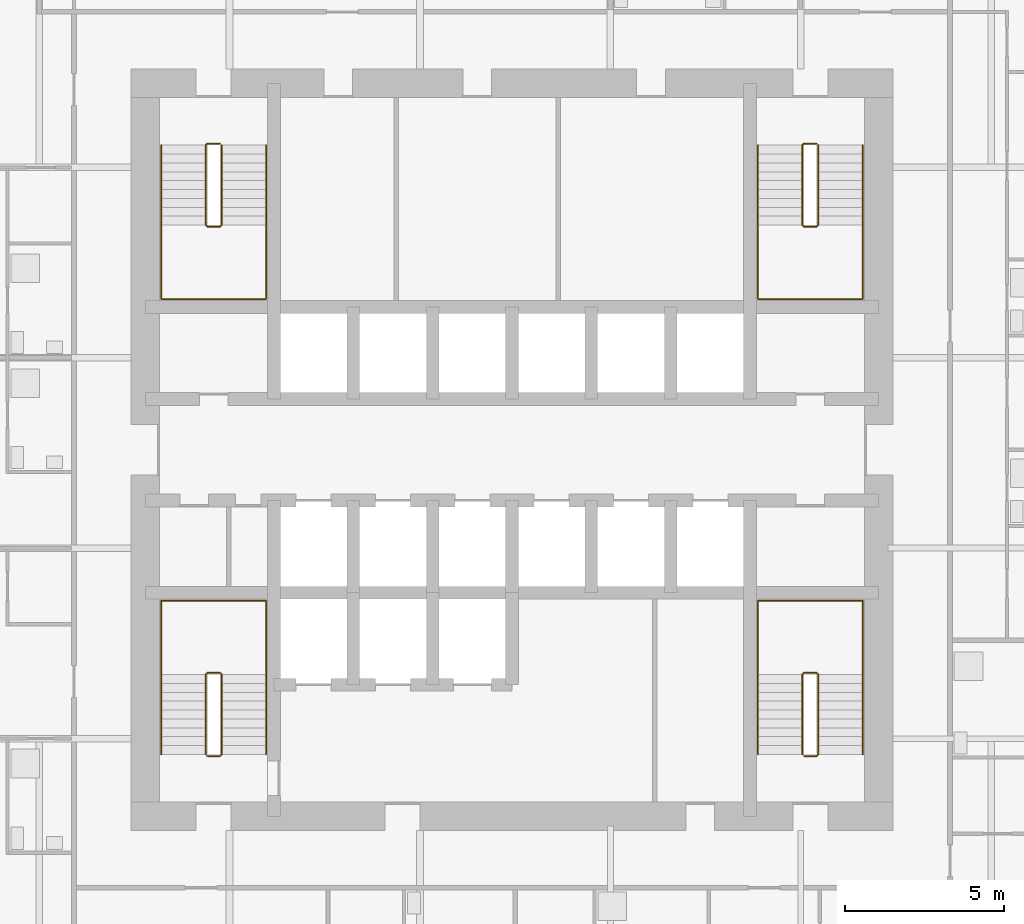
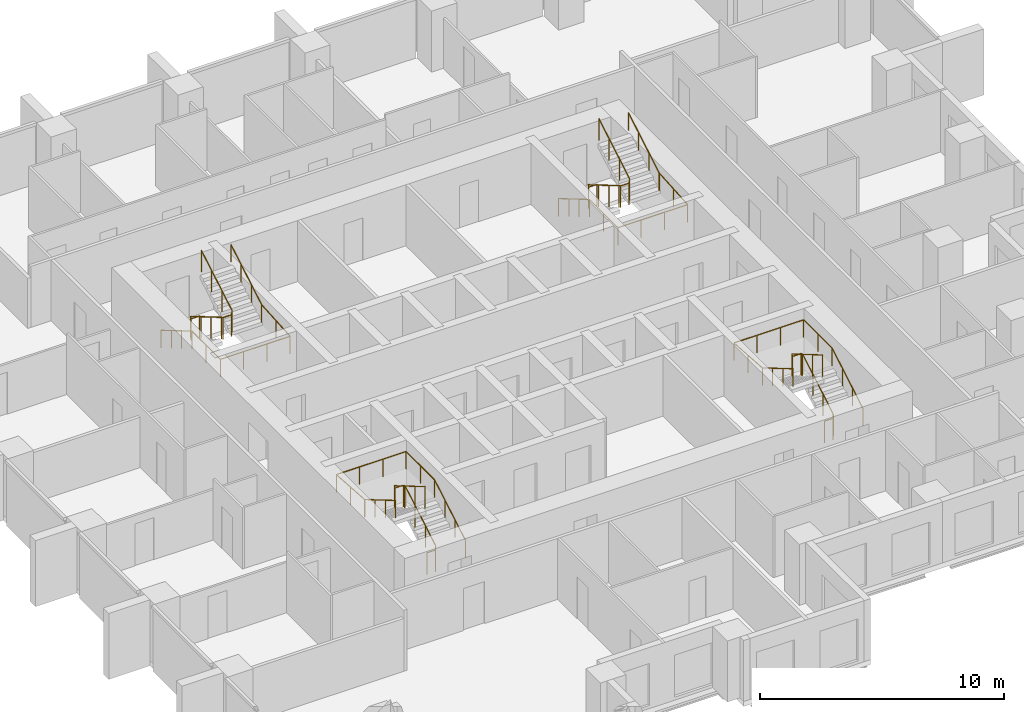
# One storey, part 9 of 10: 8 railings.
"""IFC4 building model written with IfcOpenShell, lengths in metres."""

import ifcopenshell
import ifcopenshell.guid

model = None  # the IFC model being written
_history = None  # IfcOwnerHistory: only IFC2X3 demands one
_inside = {}  # id of a spatial element -> (the spatial element, [elements in it])
_under = {}  # id of a project, library or spatial element -> (it, [spatial elements below it])
_declared = {}  # id of a project -> (the project, [libraries it declares])
_typed = {}  # id of a type object -> (the type object, [elements of that type])
_made_of = {}  # id of a material, layer set ... -> (it, [elements and type objects made of it])


def new_model(schema):
    """Start an empty IFC model of exactly this schema.

    Asked for "IFC4X3", IfcOpenShell would pick the latest addendum, in which some entities
    have other attributes; the version numbers below select the first issue.
    IFC2X3 requires an IfcOwnerHistory on every rooted entity: one is made here for all.
    """
    global model, _history
    if schema == "IFC4X3":
        model = ifcopenshell.file(schema_version=(4, 3, 0, 0))
    else:
        model = ifcopenshell.file(schema=schema)
    _inside.clear()
    _under.clear()
    _declared.clear()
    _typed.clear()
    _made_of.clear()
    _history = None
    if model.schema == "IFC2X3":
        org = make("IfcOrganization", Name="unknown")
        user = make(
            "IfcPersonAndOrganization",
            ThePerson=make("IfcPerson", FamilyName="unknown"),
            TheOrganization=org,
        )
        app = make(
            "IfcApplication",
            ApplicationDeveloper=org,
            Version="unknown",
            ApplicationFullName="unknown",
            ApplicationIdentifier="unknown",
        )
        _history = make(
            "IfcOwnerHistory",
            OwningUser=user,
            OwningApplication=app,
            ChangeAction="ADDED",
            CreationDate=0,
        )
    return model


def make(cls, **values):
    """One entity of the class cls with the attributes given. An attribute that is None is left unset."""
    return model.create_entity(
        cls, **{name: value for name, value in values.items() if value is not None}
    )


def rooted(cls, **values):
    """An entity with a GlobalId (a new one), such as an element, a storey or a relation."""
    return make(cls, GlobalId=ifcopenshell.guid.new(), OwnerHistory=_history, **values)


def si_unit(unit_type, name, prefix=None):
    """IfcSIUnit, for example si_unit("LENGTHUNIT", "METRE", prefix="MILLI")."""
    return make("IfcSIUnit", UnitType=unit_type, Prefix=prefix, Name=name)


def assignment(units):
    """IfcUnitAssignment: the units of a project."""
    return None if units is None else make("IfcUnitAssignment", Units=units)


def point(xyz):
    """IfcCartesianPoint."""
    return None if xyz is None else make("IfcCartesianPoint", Coordinates=xyz)


def direction(xyz):
    """IfcDirection."""
    return None if xyz is None else make("IfcDirection", DirectionRatios=xyz)


def frame(location, z_axis=None, x_axis=None):
    """IfcAxis2Placement3D, a coordinate frame: its origin and axes. An axis left out is left unset."""
    return make(
        "IfcAxis2Placement3D",
        Location=point(location),
        Axis=direction(z_axis),
        RefDirection=direction(x_axis),
    )


def frame_2d(location, x_axis=None):
    """IfcAxis2Placement2D, a coordinate frame in the plane: its origin and x axis."""
    return make(
        "IfcAxis2Placement2D", Location=point(location), RefDirection=direction(x_axis)
    )


def origin():
    """The frame at (0, 0, 0) with its axes left unset."""
    return frame((0.0, 0.0, 0.0))


def origin_2d():
    """The frame at (0, 0) in the plane with its x axis left unset."""
    return frame_2d((0.0, 0.0))


def place(relative_to, where):
    """IfcLocalPlacement: puts the frame where relative to a parent placement (None: the world)."""
    return make(
        "IfcLocalPlacement", PlacementRelTo=relative_to, RelativePlacement=where
    )


def context(
    kind, dimensions, precision=None, world=None, true_north=None, identifier=None
):
    """IfcGeometricRepresentationContext, for example the 3D "Model" context."""
    return make(
        "IfcGeometricRepresentationContext",
        ContextIdentifier=identifier,
        ContextType=kind,
        CoordinateSpaceDimension=dimensions,
        Precision=precision,
        WorldCoordinateSystem=world,
        TrueNorth=true_north,
    )


def subcontext(parent, identifier, kind, view, scale=None):
    """IfcGeometricRepresentationSubContext, for example "Body" below "Model"."""
    return make(
        "IfcGeometricRepresentationSubContext",
        ContextIdentifier=identifier,
        ContextType=kind,
        ParentContext=parent,
        TargetScale=scale,
        TargetView=view,
    )


def project(units=None, contexts=None):
    """IfcProject with its units and contexts."""
    return rooted(
        "IfcProject",
        Name="project",
        RepresentationContexts=contexts,
        UnitsInContext=assignment(units),
    )


def spatial(cls, under=None, at=None, **own):
    """A site, building, storey or space (cls), placed at a placement, below another one or the project."""
    s = rooted(cls, ObjectPlacement=at, **own)
    if under is not None:
        _under.setdefault(under.id(), (under, []))[1].append(s)
    return s


def profile(cls, at=None, kind="AREA", **sizes):
    """A parametric profile (cls). Its sizes go by their IFC names, for example OverallWidth=200.0."""
    return make(cls, ProfileType=kind, Position=at, **sizes)


def circle(**sizes):
    """IfcCircleProfileDef."""
    return profile("IfcCircleProfileDef", **sizes)


def extrude(swept, where, along, depth):
    """IfcExtrudedAreaSolid: the profile swept, set in the frame where, extruded along a direction by depth."""
    return make(
        "IfcExtrudedAreaSolid",
        SweptArea=swept,
        Position=where,
        ExtrudedDirection=direction(along),
        Depth=depth,
    )


def shape(context_of_items, identifier, shape_type, items):
    """IfcShapeRepresentation: the items that make up one representation, for example the "Body"."""
    return make(
        "IfcShapeRepresentation",
        ContextOfItems=context_of_items,
        RepresentationIdentifier=identifier,
        RepresentationType=shape_type,
        Items=items,
    )


def material(Name=None, Category=None):
    """IfcMaterial."""
    return make("IfcMaterial", Name=Name, Category=Category)


def made_of(thing, what):
    """Note that an element or type object is made of a material, layer set ...; save() writes the relation."""
    if what is not None:
        _made_of.setdefault(what.id(), (what, []))[1].append(thing)
    return thing


def type_object(cls, material=None, **own):
    """A type object (cls), such as IfcWallType, which elements share."""
    return made_of(rooted(cls, **own), material)


def element(
    cls,
    number,
    at=None,
    inside=None,
    cuts=None,
    type_object=None,
    material=None,
    context=None,
    identifier="Body",
    shape_type=None,
    held_by="IfcProductDefinitionShape",
    body=None,
    shapes=None,
    **own,
):
    """One element of the class cls, such as IfcWall. Its Tag is "e" and its number.

    at: its placement. inside: the storey or other place that contains it. cuts: it is an
    opening in that element (IfcRelVoidsElement). A single representation is given by context,
    identifier, shape_type and body (its items); several are given by shapes. held_by: the class
    of the entity that holds the representations. save() writes the other relations.
    """
    e = rooted(cls, Tag="e%d" % number, ObjectPlacement=at, **own)
    if body is not None:
        shapes = [shape(context, identifier, shape_type, body)]
    if shapes is not None:
        e.Representation = make(held_by, Representations=shapes)
    if inside is not None:
        _inside.setdefault(inside.id(), (inside, []))[1].append(e)
    if cuts is not None:
        rooted(
            "IfcRelVoidsElement", RelatingBuildingElement=cuts, RelatedOpeningElement=e
        )
    if type_object is not None:
        _typed.setdefault(type_object.id(), (type_object, []))[1].append(e)
    return made_of(e, material)


def aggregate(whole, parts):
    """IfcRelAggregates: a whole, such as a stair, and the parts it consists of."""
    return rooted("IfcRelAggregates", RelatingObject=whole, RelatedObjects=parts)


def save(model, path):
    """Write the relations noted so far, then the file.

    IfcRelAggregates (storeys below a building ...), IfcRelContainedInSpatialStructure (elements
    in a storey), IfcRelDefinesByType, IfcRelAssociatesMaterial and IfcRelDeclares: one each for
    every whole, place, type object, material and project.
    """
    for whole, parts in _under.values():
        aggregate(whole, parts)
    for where, things in _inside.values():
        rooted(
            "IfcRelContainedInSpatialStructure",
            RelatedElements=things,
            RelatingStructure=where,
        )
    for kind, things in _typed.values():
        rooted("IfcRelDefinesByType", RelatedObjects=things, RelatingType=kind)
    for what, things in _made_of.values():
        rooted("IfcRelAssociatesMaterial", RelatedObjects=things, RelatingMaterial=what)
    for by, libraries in _declared.values():
        rooted("IfcRelDeclares", RelatingContext=by, RelatedDefinitions=libraries)
    model.write(path)


model = new_model("IFC4")

# Units and contexts
model_context = context("Model", 3, precision=1e-05, world=origin(), true_north=direction((0.0, 1.0)))
body_context = subcontext(model_context, "Body", "Model", "MODEL_VIEW")
ifc_project = project(units=[si_unit("LENGTHUNIT", "METRE"), si_unit("AREAUNIT", "SQUARE_METRE"), si_unit("VOLUMEUNIT", "CUBIC_METRE"), si_unit("PLANEANGLEUNIT", "RADIAN"), si_unit("MASSUNIT", "GRAM", prefix="KILO")], contexts=[model_context])

# Site, building, storey
site_placement = place(None, origin())
site = spatial("IfcSite", under=ifc_project, at=site_placement, CompositionType="ELEMENT")
building_placement = place(site_placement, origin())
building = spatial("IfcBuilding", under=site, at=building_placement, Name="Amberfall Residences", CompositionType="ELEMENT")
storey_placement = place(building_placement, frame((0.0, 0.0, 46.60009765625)))
storey = spatial("IfcBuildingStorey", under=building, at=storey_placement, Name="L12", CompositionType="ELEMENT", Elevation=46.60009765625)

# Railings
ifc_material = material(Name="Stainless steel 316", Category="steel")
railing_type_1 = type_object("IfcRailingType", Name="Stair guard 1100", PredefinedType="GUARDRAIL", material=ifc_material)
railing_1_placement = place(storey_placement, frame((64.89990234375, 35.85009765625, 0.0)))
element("IfcRailing", 1, at=railing_1_placement, inside=storey, type_object=railing_type_1, Name="L12 stair 1 guard", PredefinedType="GUARDRAIL", context=body_context, shape_type="SweptSolid", body=[
    extrude(circle(Radius=0.02392578125, at=origin_2d()), frame((0.0, 0.0, 1.076171875), z_axis=(1.0, 0.0, 0.0), x_axis=(0.0, 1.0, 0.0)), (0.0, 0.0, 1.0), 0.400146484375),
    extrude(circle(Radius=0.02392578125, at=origin_2d()), frame((0.400146484375, 0.0, 1.076171875), z_axis=(0.279159454702, 0.277797701265, 0.919183570361), x_axis=(-0.705375805398, 0.708833529934, 0.0)), (0.0, 0.0, 1.0), 0.17919921875),
    extrude(circle(Radius=0.02392578125, at=origin_2d()), frame((0.4501953125, 0.0498046875, 1.24072265625), z_axis=(0.0, 0.86152411907, 0.507716645641), x_axis=(-1.0, 0.0, 0.0)), (0.0, 0.0, 1.0), 2.925048828125),
    extrude(circle(Radius=0.02392578125, at=origin_2d()), frame((0.4501953125, 2.56982421875, 2.72607421875), z_axis=(-0.707106781187, 0.707106781187, 0.0), x_axis=(-0.707106781187, -0.707106781187, 0.0)), (0.0, 0.0, 1.0), 0.07080078125),
    extrude(circle(Radius=0.02392578125, at=origin_2d()), frame((0.400146484375, 2.619873046875, 2.72607421875), z_axis=(-1.0, 0.0, 0.0), x_axis=(0.0, -1.0, 0.0)), (0.0, 0.0, 1.0), 0.400146484375),
    extrude(circle(Radius=0.02392578125, at=origin_2d()), frame((0.0, 2.619873046875, 2.72607421875), z_axis=(-0.277450376394, -0.278810427259, 0.919394384522), x_axis=(0.708833529934, -0.705375805398, 0.0)), (0.0, 0.0, 1.0), 0.179443359375),
    extrude(circle(Radius=0.02392578125, at=origin_2d()), frame((-0.0498046875, 2.56982421875, 2.89111328125), z_axis=(0.0, -0.861560626758, 0.507654692109), x_axis=(1.0, 0.0, 0.0)), (0.0, 0.0, 1.0), 2.925048828125),
    extrude(circle(Radius=0.02099609375, at=origin_2d()), origin(), (0.0, 0.0, 1.0), 1.052001953125),
    extrude(circle(Radius=0.02099609375, at=origin_2d()), frame((0.400146484375, 0.0, 0.0)), (0.0, 0.0, 1.0), 1.052001953125),
    extrude(circle(Radius=0.02099609375, at=origin_2d()), frame((0.4501953125, 0.0498046875, 0.164794921875)), (0.0, 0.0, 1.0), 1.052001953125),
    extrude(circle(Radius=0.02099609375, at=origin_2d()), frame((0.4501953125, 0.889892578125, 0.659912109375)), (0.0, 0.0, 1.0), 1.052001953125),
    extrude(circle(Radius=0.02099609375, at=origin_2d()), frame((0.4501953125, 1.729736328125, 1.15478515625)), (0.0, 0.0, 1.0), 1.052001953125),
    extrude(circle(Radius=0.02099609375, at=origin_2d()), frame((0.4501953125, 2.56982421875, 1.64990234375)), (0.0, 0.0, 1.0), 1.052001953125),
    extrude(circle(Radius=0.02099609375, at=origin_2d()), frame((0.400146484375, 2.619873046875, 1.64990234375)), (0.0, 0.0, 1.0), 1.052001953125),
    extrude(circle(Radius=0.02099609375, at=origin_2d()), frame((0.0, 2.619873046875, 1.64990234375)), (0.0, 0.0, 1.0), 1.052001953125),
    extrude(circle(Radius=0.02099609375, at=origin_2d()), frame((-0.0498046875, 2.56982421875, 1.81494140625)), (0.0, 0.0, 1.0), 1.052001953125),
    extrude(circle(Radius=0.02099609375, at=origin_2d()), frame((-0.0498046875, 1.729736328125, 2.309814453125)), (0.0, 0.0, 1.0), 1.052001953125),
    extrude(circle(Radius=0.02099609375, at=origin_2d()), frame((-0.0498046875, 0.889892578125, 2.804931640625)), (0.0, 0.0, 1.0), 1.052001953125),
    extrude(circle(Radius=0.02099609375, at=origin_2d()), frame((-0.0498046875, 0.0498046875, 3.2998046875)), (0.0, 0.0, 1.0), 1.052001953125),
])
railing_2_placement = place(storey_placement, frame((83.699951171875, 35.85009765625, 0.0)))
element("IfcRailing", 2, at=railing_2_placement, inside=storey, type_object=railing_type_1, Name="L12 stair 2 guard", PredefinedType="GUARDRAIL", context=body_context, shape_type="SweptSolid", body=[
    extrude(circle(Radius=0.02392578125, at=origin_2d()), frame((0.0, 0.0, 1.076171875), z_axis=(1.0, 0.0, 0.0), x_axis=(0.0, 1.0, 0.0)), (0.0, 0.0, 1.0), 0.400146484375),
    extrude(circle(Radius=0.02392578125, at=origin_2d()), frame((0.400146484375, 0.0, 1.076171875), z_axis=(0.277903107438, 0.277903107438, 0.919532340787), x_axis=(-0.707106781187, 0.707106781187, 0.0)), (0.0, 0.0, 1.0), 0.17919921875),
    extrude(circle(Radius=0.02392578125, at=origin_2d()), frame((0.449951171875, 0.0498046875, 1.24072265625), z_axis=(0.0, 0.86152411907, 0.507716645641), x_axis=(-1.0, 0.0, 0.0)), (0.0, 0.0, 1.0), 2.925048828125),
    extrude(circle(Radius=0.02392578125, at=origin_2d()), frame((0.449951171875, 2.56982421875, 2.72607421875), z_axis=(-0.705375805398, 0.708833529934, 0.0), x_axis=(-0.708833529934, -0.705375805398, 0.0)), (0.0, 0.0, 1.0), 0.070556640625),
    extrude(circle(Radius=0.02392578125, at=origin_2d()), frame((0.400146484375, 2.619873046875, 2.72607421875), z_axis=(-1.0, 0.0, 0.0), x_axis=(0.0, -1.0, 0.0)), (0.0, 0.0, 1.0), 0.400146484375),
    extrude(circle(Radius=0.02392578125, at=origin_2d()), frame((0.0, 2.619873046875, 2.72607421875), z_axis=(-0.278705021027, -0.278705021027, 0.919046801044), x_axis=(0.707106781187, -0.707106781187, 0.0)), (0.0, 0.0, 1.0), 0.1796875),
    extrude(circle(Radius=0.02392578125, at=origin_2d()), frame((-0.050048828125, 2.56982421875, 2.89111328125), z_axis=(0.0, -0.861560626758, 0.507654692109), x_axis=(1.0, 0.0, 0.0)), (0.0, 0.0, 1.0), 2.925048828125),
    extrude(circle(Radius=0.02099609375, at=origin_2d()), origin(), (0.0, 0.0, 1.0), 1.052001953125),
    extrude(circle(Radius=0.02099609375, at=origin_2d()), frame((0.400146484375, 0.0, 0.0)), (0.0, 0.0, 1.0), 1.052001953125),
    extrude(circle(Radius=0.02099609375, at=origin_2d()), frame((0.449951171875, 0.0498046875, 0.164794921875)), (0.0, 0.0, 1.0), 1.052001953125),
    extrude(circle(Radius=0.02099609375, at=origin_2d()), frame((0.449951171875, 0.889892578125, 0.659912109375)), (0.0, 0.0, 1.0), 1.052001953125),
    extrude(circle(Radius=0.02099609375, at=origin_2d()), frame((0.449951171875, 1.729736328125, 1.15478515625)), (0.0, 0.0, 1.0), 1.052001953125),
    extrude(circle(Radius=0.02099609375, at=origin_2d()), frame((0.449951171875, 2.56982421875, 1.64990234375)), (0.0, 0.0, 1.0), 1.052001953125),
    extrude(circle(Radius=0.02099609375, at=origin_2d()), frame((0.400146484375, 2.619873046875, 1.64990234375)), (0.0, 0.0, 1.0), 1.052001953125),
    extrude(circle(Radius=0.02099609375, at=origin_2d()), frame((0.0, 2.619873046875, 1.64990234375)), (0.0, 0.0, 1.0), 1.052001953125),
    extrude(circle(Radius=0.02099609375, at=origin_2d()), frame((-0.050048828125, 2.56982421875, 1.81494140625)), (0.0, 0.0, 1.0), 1.052001953125),
    extrude(circle(Radius=0.02099609375, at=origin_2d()), frame((-0.050048828125, 1.729736328125, 2.309814453125)), (0.0, 0.0, 1.0), 1.052001953125),
    extrude(circle(Radius=0.02099609375, at=origin_2d()), frame((-0.050048828125, 0.889892578125, 2.804931640625)), (0.0, 0.0, 1.0), 1.052001953125),
    extrude(circle(Radius=0.02099609375, at=origin_2d()), frame((-0.050048828125, 0.0498046875, 3.2998046875)), (0.0, 0.0, 1.0), 1.052001953125),
])
railing_3_placement = place(storey_placement, frame((84.10009765625, 55.14990234375, 0.0)))
element("IfcRailing", 3, at=railing_3_placement, inside=storey, type_object=railing_type_1, Name="L12 stair 3 guard", PredefinedType="GUARDRAIL", context=body_context, shape_type="SweptSolid", body=[
    extrude(circle(Radius=0.02392578125, at=origin_2d()), frame((0.0, 0.0, 1.076171875), z_axis=(-1.0, 0.0, 0.0), x_axis=(0.0, -1.0, 0.0)), (0.0, 0.0, 1.0), 0.400146484375),
    extrude(circle(Radius=0.02392578125, at=origin_2d()), frame((-0.400146484375, 0.0, 1.076171875), z_axis=(-0.279159454702, -0.277797701265, 0.919183570361), x_axis=(0.705375805398, -0.708833529934, 0.0)), (0.0, 0.0, 1.0), 0.17919921875),
    extrude(circle(Radius=0.02392578125, at=origin_2d()), frame((-0.4501953125, -0.0498046875, 1.24072265625), z_axis=(0.0, -0.86152411907, 0.507716645641), x_axis=(1.0, 0.0, 0.0)), (0.0, 0.0, 1.0), 2.925048828125),
    extrude(circle(Radius=0.02392578125, at=origin_2d()), frame((-0.4501953125, -2.56982421875, 2.72607421875), z_axis=(0.707106781187, -0.707106781187, 0.0), x_axis=(0.707106781187, 0.707106781187, 0.0)), (0.0, 0.0, 1.0), 0.07080078125),
    extrude(circle(Radius=0.02392578125, at=origin_2d()), frame((-0.400146484375, -2.619873046875, 2.72607421875), z_axis=(1.0, 0.0, 0.0), x_axis=(0.0, 1.0, 0.0)), (0.0, 0.0, 1.0), 0.400146484375),
    extrude(circle(Radius=0.02392578125, at=origin_2d()), frame((0.0, -2.619873046875, 2.72607421875), z_axis=(0.277450376394, 0.278810427259, 0.919394384522), x_axis=(-0.708833529934, 0.705375805398, 0.0)), (0.0, 0.0, 1.0), 0.179443359375),
    extrude(circle(Radius=0.02392578125, at=origin_2d()), frame((0.0498046875, -2.56982421875, 2.89111328125), z_axis=(0.0, 0.861560626758, 0.507654692109), x_axis=(-1.0, 0.0, 0.0)), (0.0, 0.0, 1.0), 2.925048828125),
    extrude(circle(Radius=0.02099609375, at=origin_2d()), origin(), (0.0, 0.0, 1.0), 1.052001953125),
    extrude(circle(Radius=0.02099609375, at=origin_2d()), frame((-0.400146484375, 0.0, 0.0)), (0.0, 0.0, 1.0), 1.052001953125),
    extrude(circle(Radius=0.02099609375, at=origin_2d()), frame((-0.4501953125, -0.0498046875, 0.164794921875)), (0.0, 0.0, 1.0), 1.052001953125),
    extrude(circle(Radius=0.02099609375, at=origin_2d()), frame((-0.4501953125, -0.889892578125, 0.659912109375)), (0.0, 0.0, 1.0), 1.052001953125),
    extrude(circle(Radius=0.02099609375, at=origin_2d()), frame((-0.4501953125, -1.729736328125, 1.15478515625)), (0.0, 0.0, 1.0), 1.052001953125),
    extrude(circle(Radius=0.02099609375, at=origin_2d()), frame((-0.4501953125, -2.56982421875, 1.64990234375)), (0.0, 0.0, 1.0), 1.052001953125),
    extrude(circle(Radius=0.02099609375, at=origin_2d()), frame((-0.400146484375, -2.619873046875, 1.64990234375)), (0.0, 0.0, 1.0), 1.052001953125),
    extrude(circle(Radius=0.02099609375, at=origin_2d()), frame((0.0, -2.619873046875, 1.64990234375)), (0.0, 0.0, 1.0), 1.052001953125),
    extrude(circle(Radius=0.02099609375, at=origin_2d()), frame((0.0498046875, -2.56982421875, 1.81494140625)), (0.0, 0.0, 1.0), 1.052001953125),
    extrude(circle(Radius=0.02099609375, at=origin_2d()), frame((0.0498046875, -1.729736328125, 2.309814453125)), (0.0, 0.0, 1.0), 1.052001953125),
    extrude(circle(Radius=0.02099609375, at=origin_2d()), frame((0.0498046875, -0.889892578125, 2.804931640625)), (0.0, 0.0, 1.0), 1.052001953125),
    extrude(circle(Radius=0.02099609375, at=origin_2d()), frame((0.0498046875, -0.0498046875, 3.2998046875)), (0.0, 0.0, 1.0), 1.052001953125),
])
railing_4_placement = place(storey_placement, frame((65.300048828125, 55.14990234375, 0.0)))
element("IfcRailing", 4, at=railing_4_placement, inside=storey, type_object=railing_type_1, Name="L12 stair 4 guard", PredefinedType="GUARDRAIL", context=body_context, shape_type="SweptSolid", body=[
    extrude(circle(Radius=0.02392578125, at=origin_2d()), frame((0.0, 0.0, 1.076171875), z_axis=(-1.0, 0.0, 0.0), x_axis=(0.0, -1.0, 0.0)), (0.0, 0.0, 1.0), 0.400146484375),
    extrude(circle(Radius=0.02392578125, at=origin_2d()), frame((-0.400146484375, 0.0, 1.076171875), z_axis=(-0.277903107438, -0.277903107438, 0.919532340787), x_axis=(0.707106781187, -0.707106781187, 0.0)), (0.0, 0.0, 1.0), 0.17919921875),
    extrude(circle(Radius=0.02392578125, at=origin_2d()), frame((-0.449951171875, -0.0498046875, 1.24072265625), z_axis=(0.0, -0.86152411907, 0.507716645641), x_axis=(1.0, 0.0, 0.0)), (0.0, 0.0, 1.0), 2.925048828125),
    extrude(circle(Radius=0.02392578125, at=origin_2d()), frame((-0.449951171875, -2.56982421875, 2.72607421875), z_axis=(0.705375805398, -0.708833529934, 0.0), x_axis=(0.708833529934, 0.705375805398, 0.0)), (0.0, 0.0, 1.0), 0.070556640625),
    extrude(circle(Radius=0.02392578125, at=origin_2d()), frame((-0.400146484375, -2.619873046875, 2.72607421875), z_axis=(1.0, 0.0, 0.0), x_axis=(0.0, 1.0, 0.0)), (0.0, 0.0, 1.0), 0.400146484375),
    extrude(circle(Radius=0.02392578125, at=origin_2d()), frame((0.0, -2.619873046875, 2.72607421875), z_axis=(0.278705021027, 0.278705021027, 0.919046801044), x_axis=(-0.707106781187, 0.707106781187, 0.0)), (0.0, 0.0, 1.0), 0.1796875),
    extrude(circle(Radius=0.02392578125, at=origin_2d()), frame((0.050048828125, -2.56982421875, 2.89111328125), z_axis=(0.0, 0.861560626758, 0.507654692109), x_axis=(-1.0, 0.0, 0.0)), (0.0, 0.0, 1.0), 2.925048828125),
    extrude(circle(Radius=0.02099609375, at=origin_2d()), origin(), (0.0, 0.0, 1.0), 1.052001953125),
    extrude(circle(Radius=0.02099609375, at=origin_2d()), frame((-0.400146484375, 0.0, 0.0)), (0.0, 0.0, 1.0), 1.052001953125),
    extrude(circle(Radius=0.02099609375, at=origin_2d()), frame((-0.449951171875, -0.0498046875, 0.164794921875)), (0.0, 0.0, 1.0), 1.052001953125),
    extrude(circle(Radius=0.02099609375, at=origin_2d()), frame((-0.449951171875, -0.889892578125, 0.659912109375)), (0.0, 0.0, 1.0), 1.052001953125),
    extrude(circle(Radius=0.02099609375, at=origin_2d()), frame((-0.449951171875, -1.729736328125, 1.15478515625)), (0.0, 0.0, 1.0), 1.052001953125),
    extrude(circle(Radius=0.02099609375, at=origin_2d()), frame((-0.449951171875, -2.56982421875, 1.64990234375)), (0.0, 0.0, 1.0), 1.052001953125),
    extrude(circle(Radius=0.02099609375, at=origin_2d()), frame((-0.400146484375, -2.619873046875, 1.64990234375)), (0.0, 0.0, 1.0), 1.052001953125),
    extrude(circle(Radius=0.02099609375, at=origin_2d()), frame((0.0, -2.619873046875, 1.64990234375)), (0.0, 0.0, 1.0), 1.052001953125),
    extrude(circle(Radius=0.02099609375, at=origin_2d()), frame((0.050048828125, -2.56982421875, 1.81494140625)), (0.0, 0.0, 1.0), 1.052001953125),
    extrude(circle(Radius=0.02099609375, at=origin_2d()), frame((0.050048828125, -1.729736328125, 2.309814453125)), (0.0, 0.0, 1.0), 1.052001953125),
    extrude(circle(Radius=0.02099609375, at=origin_2d()), frame((0.050048828125, -0.889892578125, 2.804931640625)), (0.0, 0.0, 1.0), 1.052001953125),
    extrude(circle(Radius=0.02099609375, at=origin_2d()), frame((0.050048828125, -0.0498046875, 3.2998046875)), (0.0, 0.0, 1.0), 1.052001953125),
])
railing_type_2 = type_object("IfcRailingType", Name="Stair handrail 900", PredefinedType="HANDRAIL", material=ifc_material)
railing_5_placement = place(storey_placement, frame((66.75, 35.89990234375, 0.164794921875)))
element("IfcRailing", 5, at=railing_5_placement, inside=storey, type_object=railing_type_2, Name="L12 stair 1 handrail", PredefinedType="HANDRAIL", context=body_context, shape_type="SweptSolid", body=[
    extrude(circle(Radius=0.02392578125, at=origin_2d()), frame((0.0, 0.0, 0.8759765625), z_axis=(0.0, 0.86152411907, 0.507716645641), x_axis=(-1.0, 0.0, 0.0)), (0.0, 0.0, 1.0), 2.925048828125),
    extrude(circle(Radius=0.02392578125, at=origin_2d()), frame((0.0, 2.52001953125, 2.36083984375), z_axis=(0.0, 1.0, 0.0), x_axis=(-1.0, 0.0, 0.0)), (0.0, 0.0, 1.0), 2.330078125),
    extrude(circle(Radius=0.02392578125, at=origin_2d()), frame((0.0, 4.85009765625, 2.36083984375), z_axis=(-1.0, 0.0, 0.0), x_axis=(0.0, -1.0, 0.0)), (0.0, 0.0, 1.0), 3.300048828125),
    extrude(circle(Radius=0.02392578125, at=origin_2d()), frame((-3.300048828125, 4.85009765625, 2.36083984375), z_axis=(0.0, -0.997500965899, 0.07065283455), x_axis=(1.0, 0.0, 0.0)), (0.0, 0.0, 1.0), 2.3359375),
    extrude(circle(Radius=0.02392578125, at=origin_2d()), frame((-3.300048828125, 2.52001953125, 2.52587890625), z_axis=(0.0, -0.861560626758, 0.507654692109), x_axis=(1.0, 0.0, 0.0)), (0.0, 0.0, 1.0), 2.925048828125),
    extrude(circle(Radius=0.02099609375, at=origin_2d()), origin(), (0.0, 0.0, 1.0), 0.851806640625),
    extrude(circle(Radius=0.02099609375, at=origin_2d()), frame((0.0, 0.840087890625, 0.4951171875)), (0.0, 0.0, 1.0), 0.851806640625),
    extrude(circle(Radius=0.02099609375, at=origin_2d()), frame((0.0, 1.679931640625, 0.989990234375)), (0.0, 0.0, 1.0), 0.851806640625),
    extrude(circle(Radius=0.02099609375, at=origin_2d()), frame((0.0, 2.52001953125, 1.485107421875)), (0.0, 0.0, 1.0), 0.851806640625),
    extrude(circle(Radius=0.02099609375, at=origin_2d()), frame((0.0, 3.68505859375, 1.485107421875)), (0.0, 0.0, 1.0), 0.851806640625),
    extrude(circle(Radius=0.02099609375, at=origin_2d()), frame((0.0, 4.85009765625, 1.485107421875)), (0.0, 0.0, 1.0), 0.851806640625),
    extrude(circle(Radius=0.02099609375, at=origin_2d()), frame((-1.10009765625, 4.85009765625, 1.485107421875)), (0.0, 0.0, 1.0), 0.851806640625),
    extrude(circle(Radius=0.02099609375, at=origin_2d()), frame((-2.199951171875, 4.85009765625, 1.485107421875)), (0.0, 0.0, 1.0), 0.851806640625),
    extrude(circle(Radius=0.02099609375, at=origin_2d()), frame((-3.300048828125, 4.85009765625, 1.485107421875)), (0.0, 0.0, 1.0), 0.851806640625),
    extrude(circle(Radius=0.02099609375, at=origin_2d()), frame((-3.300048828125, 3.68505859375, 1.567626953125)), (0.0, 0.0, 1.0), 0.851806640625),
    extrude(circle(Radius=0.02099609375, at=origin_2d()), frame((-3.300048828125, 2.52001953125, 1.650146484375)), (0.0, 0.0, 1.0), 0.851806640625),
    extrude(circle(Radius=0.02099609375, at=origin_2d()), frame((-3.300048828125, 1.679931640625, 2.14501953125)), (0.0, 0.0, 1.0), 0.851806640625),
    extrude(circle(Radius=0.02099609375, at=origin_2d()), frame((-3.300048828125, 0.840087890625, 2.64013671875)), (0.0, 0.0, 1.0), 0.851806640625),
    extrude(circle(Radius=0.02099609375, at=origin_2d()), frame((-3.300048828125, 0.0, 3.135009765625)), (0.0, 0.0, 1.0), 0.851806640625),
])
railing_6_placement = place(storey_placement, frame((85.550048828125, 35.89990234375, 0.164794921875)))
element("IfcRailing", 6, at=railing_6_placement, inside=storey, type_object=railing_type_2, Name="L12 stair 2 handrail", PredefinedType="HANDRAIL", context=body_context, shape_type="SweptSolid", body=[
    extrude(circle(Radius=0.02392578125, at=origin_2d()), frame((0.0, 0.0, 0.8759765625), z_axis=(0.0, 0.86152411907, 0.507716645641), x_axis=(-1.0, 0.0, 0.0)), (0.0, 0.0, 1.0), 2.925048828125),
    extrude(circle(Radius=0.02392578125, at=origin_2d()), frame((0.0, 2.52001953125, 2.36083984375), z_axis=(0.0, 1.0, 0.0), x_axis=(-1.0, 0.0, 0.0)), (0.0, 0.0, 1.0), 2.330078125),
    extrude(circle(Radius=0.02392578125, at=origin_2d()), frame((0.0, 4.85009765625, 2.36083984375), z_axis=(-1.0, 0.0, 0.0), x_axis=(0.0, -1.0, 0.0)), (0.0, 0.0, 1.0), 3.300048828125),
    extrude(circle(Radius=0.02392578125, at=origin_2d()), frame((-3.300048828125, 4.85009765625, 2.36083984375), z_axis=(0.0, -0.997500965899, 0.07065283455), x_axis=(1.0, 0.0, 0.0)), (0.0, 0.0, 1.0), 2.3359375),
    extrude(circle(Radius=0.02392578125, at=origin_2d()), frame((-3.300048828125, 2.52001953125, 2.52587890625), z_axis=(0.0, -0.861560626758, 0.507654692109), x_axis=(1.0, 0.0, 0.0)), (0.0, 0.0, 1.0), 2.925048828125),
    extrude(circle(Radius=0.02099609375, at=origin_2d()), origin(), (0.0, 0.0, 1.0), 0.851806640625),
    extrude(circle(Radius=0.02099609375, at=origin_2d()), frame((0.0, 0.840087890625, 0.4951171875)), (0.0, 0.0, 1.0), 0.851806640625),
    extrude(circle(Radius=0.02099609375, at=origin_2d()), frame((0.0, 1.679931640625, 0.989990234375)), (0.0, 0.0, 1.0), 0.851806640625),
    extrude(circle(Radius=0.02099609375, at=origin_2d()), frame((0.0, 2.52001953125, 1.485107421875)), (0.0, 0.0, 1.0), 0.851806640625),
    extrude(circle(Radius=0.02099609375, at=origin_2d()), frame((0.0, 3.68505859375, 1.485107421875)), (0.0, 0.0, 1.0), 0.851806640625),
    extrude(circle(Radius=0.02099609375, at=origin_2d()), frame((0.0, 4.85009765625, 1.485107421875)), (0.0, 0.0, 1.0), 0.851806640625),
    extrude(circle(Radius=0.02099609375, at=origin_2d()), frame((-1.10009765625, 4.85009765625, 1.485107421875)), (0.0, 0.0, 1.0), 0.851806640625),
    extrude(circle(Radius=0.02099609375, at=origin_2d()), frame((-2.199951171875, 4.85009765625, 1.485107421875)), (0.0, 0.0, 1.0), 0.851806640625),
    extrude(circle(Radius=0.02099609375, at=origin_2d()), frame((-3.300048828125, 4.85009765625, 1.485107421875)), (0.0, 0.0, 1.0), 0.851806640625),
    extrude(circle(Radius=0.02099609375, at=origin_2d()), frame((-3.300048828125, 3.68505859375, 1.567626953125)), (0.0, 0.0, 1.0), 0.851806640625),
    extrude(circle(Radius=0.02099609375, at=origin_2d()), frame((-3.300048828125, 2.52001953125, 1.650146484375)), (0.0, 0.0, 1.0), 0.851806640625),
    extrude(circle(Radius=0.02099609375, at=origin_2d()), frame((-3.300048828125, 1.679931640625, 2.14501953125)), (0.0, 0.0, 1.0), 0.851806640625),
    extrude(circle(Radius=0.02099609375, at=origin_2d()), frame((-3.300048828125, 0.840087890625, 2.64013671875)), (0.0, 0.0, 1.0), 0.851806640625),
    extrude(circle(Radius=0.02099609375, at=origin_2d()), frame((-3.300048828125, 0.0, 3.135009765625)), (0.0, 0.0, 1.0), 0.851806640625),
])
railing_7_placement = place(storey_placement, frame((82.25, 55.10009765625, 0.164794921875)))
element("IfcRailing", 7, at=railing_7_placement, inside=storey, type_object=railing_type_2, Name="L12 stair 3 handrail", PredefinedType="HANDRAIL", context=body_context, shape_type="SweptSolid", body=[
    extrude(circle(Radius=0.02392578125, at=origin_2d()), frame((0.0, 0.0, 0.8759765625), z_axis=(0.0, -0.86152411907, 0.507716645641), x_axis=(1.0, 0.0, 0.0)), (0.0, 0.0, 1.0), 2.925048828125),
    extrude(circle(Radius=0.02392578125, at=origin_2d()), frame((0.0, -2.52001953125, 2.36083984375), z_axis=(0.0, -1.0, 0.0), x_axis=(1.0, 0.0, 0.0)), (0.0, 0.0, 1.0), 2.330078125),
    extrude(circle(Radius=0.02392578125, at=origin_2d()), frame((0.0, -4.85009765625, 2.36083984375), z_axis=(1.0, 0.0, 0.0), x_axis=(0.0, 1.0, 0.0)), (0.0, 0.0, 1.0), 3.300048828125),
    extrude(circle(Radius=0.02392578125, at=origin_2d()), frame((3.300048828125, -4.85009765625, 2.36083984375), z_axis=(0.0, 0.997500965899, 0.07065283455), x_axis=(-1.0, 0.0, 0.0)), (0.0, 0.0, 1.0), 2.3359375),
    extrude(circle(Radius=0.02392578125, at=origin_2d()), frame((3.300048828125, -2.52001953125, 2.52587890625), z_axis=(0.0, 0.861560626758, 0.507654692109), x_axis=(-1.0, 0.0, 0.0)), (0.0, 0.0, 1.0), 2.925048828125),
    extrude(circle(Radius=0.02099609375, at=origin_2d()), origin(), (0.0, 0.0, 1.0), 0.851806640625),
    extrude(circle(Radius=0.02099609375, at=origin_2d()), frame((0.0, -0.840087890625, 0.4951171875)), (0.0, 0.0, 1.0), 0.851806640625),
    extrude(circle(Radius=0.02099609375, at=origin_2d()), frame((0.0, -1.679931640625, 0.989990234375)), (0.0, 0.0, 1.0), 0.851806640625),
    extrude(circle(Radius=0.02099609375, at=origin_2d()), frame((0.0, -2.52001953125, 1.485107421875)), (0.0, 0.0, 1.0), 0.851806640625),
    extrude(circle(Radius=0.02099609375, at=origin_2d()), frame((0.0, -3.68505859375, 1.485107421875)), (0.0, 0.0, 1.0), 0.851806640625),
    extrude(circle(Radius=0.02099609375, at=origin_2d()), frame((0.0, -4.85009765625, 1.485107421875)), (0.0, 0.0, 1.0), 0.851806640625),
    extrude(circle(Radius=0.02099609375, at=origin_2d()), frame((1.10009765625, -4.85009765625, 1.485107421875)), (0.0, 0.0, 1.0), 0.851806640625),
    extrude(circle(Radius=0.02099609375, at=origin_2d()), frame((2.199951171875, -4.85009765625, 1.485107421875)), (0.0, 0.0, 1.0), 0.851806640625),
    extrude(circle(Radius=0.02099609375, at=origin_2d()), frame((3.300048828125, -4.85009765625, 1.485107421875)), (0.0, 0.0, 1.0), 0.851806640625),
    extrude(circle(Radius=0.02099609375, at=origin_2d()), frame((3.300048828125, -3.68505859375, 1.567626953125)), (0.0, 0.0, 1.0), 0.851806640625),
    extrude(circle(Radius=0.02099609375, at=origin_2d()), frame((3.300048828125, -2.52001953125, 1.650146484375)), (0.0, 0.0, 1.0), 0.851806640625),
    extrude(circle(Radius=0.02099609375, at=origin_2d()), frame((3.300048828125, -1.679931640625, 2.14501953125)), (0.0, 0.0, 1.0), 0.851806640625),
    extrude(circle(Radius=0.02099609375, at=origin_2d()), frame((3.300048828125, -0.840087890625, 2.64013671875)), (0.0, 0.0, 1.0), 0.851806640625),
    extrude(circle(Radius=0.02099609375, at=origin_2d()), frame((3.300048828125, 0.0, 3.135009765625)), (0.0, 0.0, 1.0), 0.851806640625),
])
railing_8_placement = place(storey_placement, frame((63.449951171875, 55.10009765625, 0.164794921875)))
element("IfcRailing", 8, at=railing_8_placement, inside=storey, type_object=railing_type_2, Name="L12 stair 4 handrail", PredefinedType="HANDRAIL", context=body_context, shape_type="SweptSolid", body=[
    extrude(circle(Radius=0.02392578125, at=origin_2d()), frame((0.0, 0.0, 0.8759765625), z_axis=(0.0, -0.86152411907, 0.507716645641), x_axis=(1.0, 0.0, 0.0)), (0.0, 0.0, 1.0), 2.925048828125),
    extrude(circle(Radius=0.02392578125, at=origin_2d()), frame((0.0, -2.52001953125, 2.36083984375), z_axis=(0.0, -1.0, 0.0), x_axis=(1.0, 0.0, 0.0)), (0.0, 0.0, 1.0), 2.330078125),
    extrude(circle(Radius=0.02392578125, at=origin_2d()), frame((0.0, -4.85009765625, 2.36083984375), z_axis=(1.0, 0.0, 0.0), x_axis=(0.0, 1.0, 0.0)), (0.0, 0.0, 1.0), 3.300048828125),
    extrude(circle(Radius=0.02392578125, at=origin_2d()), frame((3.300048828125, -4.85009765625, 2.36083984375), z_axis=(0.0, 0.997500965899, 0.07065283455), x_axis=(-1.0, 0.0, 0.0)), (0.0, 0.0, 1.0), 2.3359375),
    extrude(circle(Radius=0.02392578125, at=origin_2d()), frame((3.300048828125, -2.52001953125, 2.52587890625), z_axis=(0.0, 0.861560626758, 0.507654692109), x_axis=(-1.0, 0.0, 0.0)), (0.0, 0.0, 1.0), 2.925048828125),
    extrude(circle(Radius=0.02099609375, at=origin_2d()), origin(), (0.0, 0.0, 1.0), 0.851806640625),
    extrude(circle(Radius=0.02099609375, at=origin_2d()), frame((0.0, -0.840087890625, 0.4951171875)), (0.0, 0.0, 1.0), 0.851806640625),
    extrude(circle(Radius=0.02099609375, at=origin_2d()), frame((0.0, -1.679931640625, 0.989990234375)), (0.0, 0.0, 1.0), 0.851806640625),
    extrude(circle(Radius=0.02099609375, at=origin_2d()), frame((0.0, -2.52001953125, 1.485107421875)), (0.0, 0.0, 1.0), 0.851806640625),
    extrude(circle(Radius=0.02099609375, at=origin_2d()), frame((0.0, -3.68505859375, 1.485107421875)), (0.0, 0.0, 1.0), 0.851806640625),
    extrude(circle(Radius=0.02099609375, at=origin_2d()), frame((0.0, -4.85009765625, 1.485107421875)), (0.0, 0.0, 1.0), 0.851806640625),
    extrude(circle(Radius=0.02099609375, at=origin_2d()), frame((1.10009765625, -4.85009765625, 1.485107421875)), (0.0, 0.0, 1.0), 0.851806640625),
    extrude(circle(Radius=0.02099609375, at=origin_2d()), frame((2.199951171875, -4.85009765625, 1.485107421875)), (0.0, 0.0, 1.0), 0.851806640625),
    extrude(circle(Radius=0.02099609375, at=origin_2d()), frame((3.300048828125, -4.85009765625, 1.485107421875)), (0.0, 0.0, 1.0), 0.851806640625),
    extrude(circle(Radius=0.02099609375, at=origin_2d()), frame((3.300048828125, -3.68505859375, 1.567626953125)), (0.0, 0.0, 1.0), 0.851806640625),
    extrude(circle(Radius=0.02099609375, at=origin_2d()), frame((3.300048828125, -2.52001953125, 1.650146484375)), (0.0, 0.0, 1.0), 0.851806640625),
    extrude(circle(Radius=0.02099609375, at=origin_2d()), frame((3.300048828125, -1.679931640625, 2.14501953125)), (0.0, 0.0, 1.0), 0.851806640625),
    extrude(circle(Radius=0.02099609375, at=origin_2d()), frame((3.300048828125, -0.840087890625, 2.64013671875)), (0.0, 0.0, 1.0), 0.851806640625),
    extrude(circle(Radius=0.02099609375, at=origin_2d()), frame((3.300048828125, 0.0, 3.135009765625)), (0.0, 0.0, 1.0), 0.851806640625),
])

save(model, "model.ifc")
